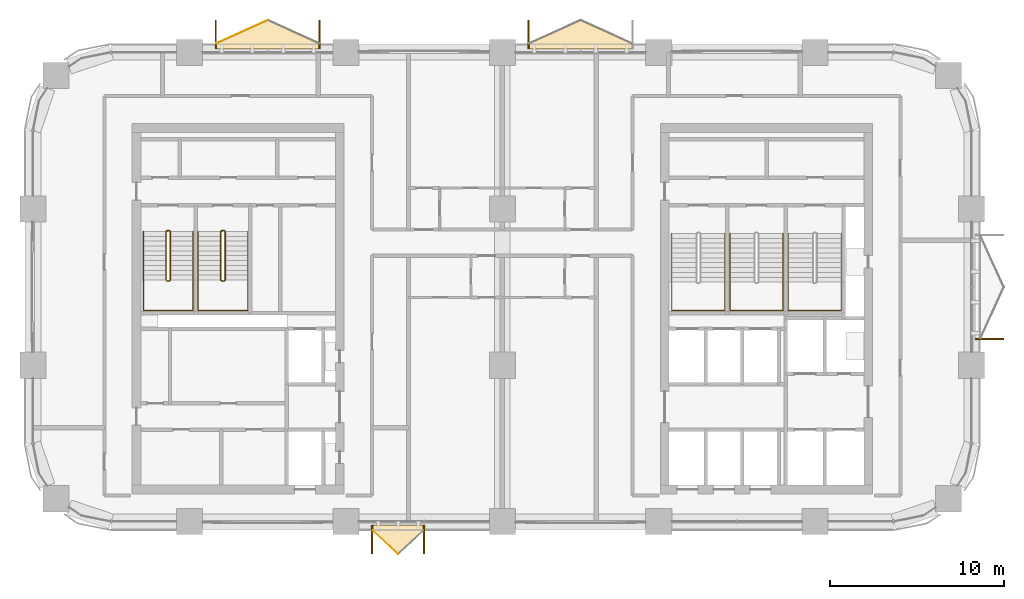
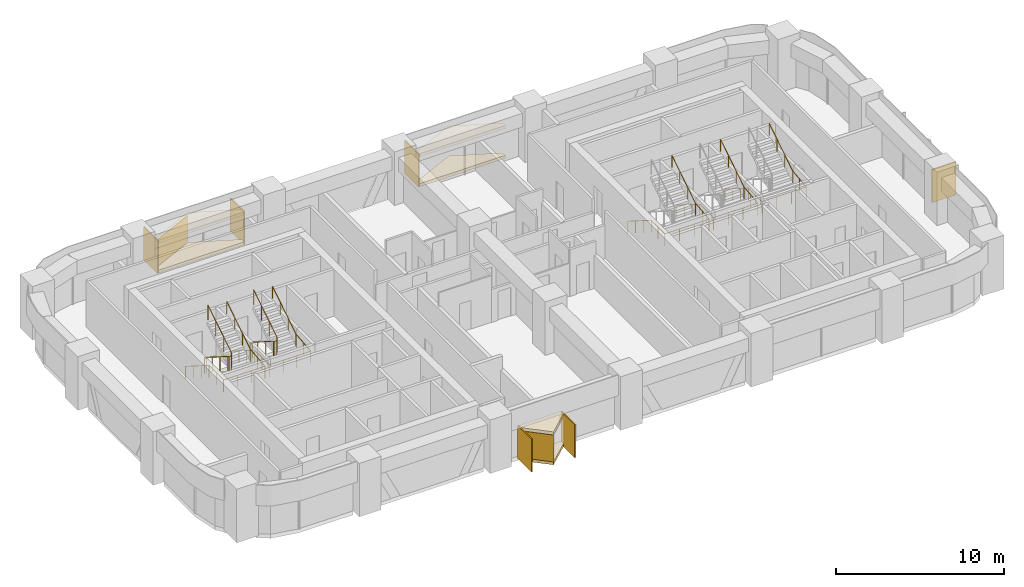
# One storey, part 13 of 14: 14 coverings, 7 railings.
"""IFC4 building model written with IfcOpenShell, lengths in metres."""

from ifc_helpers import new_model, si_unit, direction, frame, origin, origin_2d, place, context, subcontext, project, spatial, polyline, rectangle, circle, outline, extrude, material, layer, layer_set, type_object, element, save


model = new_model("IFC4")

# Units and contexts
model_context = context("Model", 3, precision=1e-05, world=origin(), true_north=direction((0.0, 1.0)))
body_context = subcontext(model_context, "Body", "Model", "MODEL_VIEW")
ifc_project = project(units=[si_unit("LENGTHUNIT", "METRE"), si_unit("AREAUNIT", "SQUARE_METRE"), si_unit("VOLUMEUNIT", "CUBIC_METRE"), si_unit("PLANEANGLEUNIT", "RADIAN"), si_unit("MASSUNIT", "GRAM", prefix="KILO")], contexts=[model_context])

# Site, building, storey
site_placement = place(None, origin())
site = spatial("IfcSite", under=ifc_project, at=site_placement, CompositionType="ELEMENT")
building_placement = place(site_placement, origin())
building = spatial("IfcBuilding", under=site, at=building_placement, Name="Tessera Arch", CompositionType="ELEMENT")
storey_placement = place(building_placement, frame((0.0, 0.0, 193.39990234375)))
storey = spatial("IfcBuildingStorey", under=building, at=storey_placement, Name="L46", CompositionType="ELEMENT", Elevation=193.39990234375)

# Railings
ifc_material_1 = material(Name="Painted steel balustrade", Category="steel")
railing_type_1 = type_object("IfcRailingType", Name="Stair guard 1100", PredefinedType="GUARDRAIL", material=ifc_material_1)
railing_1_placement = place(storey_placement, frame((7.699951171875, 43.75, 0.0)))
element("IfcRailing", 1, at=railing_1_placement, inside=storey, type_object=railing_type_1, Name="L46 S2a stair guard 1", PredefinedType="GUARDRAIL", context=body_context, shape_type="SweptSolid", body=[
    extrude(circle(Radius=0.02392578125, at=origin_2d()), frame((-0.00390625, 0.0, 1.076171875), z_axis=(1.0, 0.0, 0.0), x_axis=(0.0, 1.0, 0.0)), (0.0, 0.0, 1.0), 0.158203125),
    extrude(circle(Radius=0.02392578125, at=origin_2d()), frame((0.153076171875, 0.000732421875, 1.073486328125), z_axis=(-0.735506176693, -0.183876544173, 0.652089012751), x_axis=(0.242535625036, -0.970142500145, 0.0)), (0.0, 0.0, 1.0), 0.2802734375),
    extrude(circle(Radius=0.02392578125, at=origin_2d()), frame((-0.050048828125, -0.046630859375, 1.25146484375), z_axis=(0.0, -0.844908973607, 0.534910110503), x_axis=(1.0, 0.0, 0.0)), (0.0, 0.0, 1.0), 3.322021484375),
    extrude(circle(Radius=0.02392578125, at=origin_2d()), frame((-0.052978515625, -2.84716796875, 3.0263671875), z_axis=(0.708833529934, -0.705375805398, 0.0), x_axis=(0.705375805398, 0.708833529934, 0.0)), (0.0, 0.0, 1.0), 0.07861328125),
    extrude(circle(Radius=0.02392578125, at=origin_2d()), frame((-0.00390625, -2.89990234375, 3.0263671875), z_axis=(1.0, 0.0, 0.0), x_axis=(0.0, 1.0, 0.0)), (0.0, 0.0, 1.0), 0.158203125),
    extrude(circle(Radius=0.02392578125, at=origin_2d()), frame((0.149169921875, -2.90087890625, 3.0224609375), z_axis=(0.261129318932, 0.261129318932, 0.929313164433), x_axis=(-0.707106781187, 0.707106781187, 0.0)), (0.0, 0.0, 1.0), 0.19873046875),
    extrude(circle(Radius=0.02392578125, at=origin_2d()), frame((0.199951171875, -2.853515625, 3.201416015625), z_axis=(0.0, 0.844908973607, 0.534910110503), x_axis=(-1.0, 0.0, 0.0)), (0.0, 0.0, 1.0), 3.322021484375),
    extrude(circle(Radius=0.02099609375, at=origin_2d()), origin(), (0.0, 0.0, 1.0), 1.06396484375),
    extrude(circle(Radius=0.02099609375, at=origin_2d()), frame((0.150146484375, 0.0, 0.0)), (0.0, 0.0, 1.0), 1.06396484375),
    extrude(circle(Radius=0.02099609375, at=origin_2d()), frame((-0.050048828125, -0.050048828125, 0.177490234375)), (0.0, 0.0, 1.0), 1.06396484375),
    extrude(circle(Radius=0.02099609375, at=origin_2d()), frame((-0.050048828125, -0.9833984375, 0.768310546875)), (0.0, 0.0, 1.0), 1.06396484375),
    extrude(circle(Radius=0.02099609375, at=origin_2d()), frame((-0.050048828125, -1.916748046875, 1.359375)), (0.0, 0.0, 1.0), 1.06396484375),
    extrude(circle(Radius=0.02099609375, at=origin_2d()), frame((-0.050048828125, -2.85009765625, 1.9501953125)), (0.0, 0.0, 1.0), 1.06396484375),
    extrude(circle(Radius=0.02099609375, at=origin_2d()), frame((0.0, -2.89990234375, 1.9501953125)), (0.0, 0.0, 1.0), 1.06396484375),
    extrude(circle(Radius=0.02099609375, at=origin_2d()), frame((0.150146484375, -2.89990234375, 1.9501953125)), (0.0, 0.0, 1.0), 1.06396484375),
    extrude(circle(Radius=0.02099609375, at=origin_2d()), frame((0.199951171875, -2.85009765625, 2.12744140625)), (0.0, 0.0, 1.0), 1.06396484375),
    extrude(circle(Radius=0.02099609375, at=origin_2d()), frame((0.199951171875, -1.916748046875, 2.71826171875)), (0.0, 0.0, 1.0), 1.06396484375),
    extrude(circle(Radius=0.02099609375, at=origin_2d()), frame((0.199951171875, -0.9833984375, 3.309326171875)), (0.0, 0.0, 1.0), 1.06396484375),
    extrude(circle(Radius=0.02099609375, at=origin_2d()), frame((0.199951171875, -0.050048828125, 3.900146484375)), (0.0, 0.0, 1.0), 1.06396484375),
])
railing_2_placement = place(storey_placement, frame((10.85009765625, 43.75, 0.0)))
element("IfcRailing", 2, at=railing_2_placement, inside=storey, type_object=railing_type_1, Name="L46 S2b stair guard 1", PredefinedType="GUARDRAIL", context=body_context, shape_type="SweptSolid", body=[
    extrude(circle(Radius=0.02392578125, at=origin_2d()), frame((-0.00390625, 0.0, 1.076171875), z_axis=(1.0, 0.0, 0.0), x_axis=(0.0, 1.0, 0.0)), (0.0, 0.0, 1.0), 0.157958984375),
    extrude(circle(Radius=0.02392578125, at=origin_2d()), frame((0.15283203125, 0.000732421875, 1.073486328125), z_axis=(-0.735094037398, -0.183997897029, 0.652519371414), x_axis=(0.242814311512, -0.970072785993, 0.0)), (0.0, 0.0, 1.0), 0.280029296875),
    extrude(circle(Radius=0.02392578125, at=origin_2d()), frame((-0.050048828125, -0.046630859375, 1.25146484375), z_axis=(0.0, -0.844908973607, 0.534910110503), x_axis=(1.0, 0.0, 0.0)), (0.0, 0.0, 1.0), 3.322021484375),
    extrude(circle(Radius=0.02392578125, at=origin_2d()), frame((-0.052978515625, -2.84716796875, 3.0263671875), z_axis=(0.708833529934, -0.705375805398, 0.0), x_axis=(0.705375805398, 0.708833529934, 0.0)), (0.0, 0.0, 1.0), 0.07861328125),
    extrude(circle(Radius=0.02392578125, at=origin_2d()), frame((-0.00390625, -2.89990234375, 3.0263671875), z_axis=(1.0, 0.0, 0.0), x_axis=(0.0, 1.0, 0.0)), (0.0, 0.0, 1.0), 0.157958984375),
    extrude(circle(Radius=0.02392578125, at=origin_2d()), frame((0.14892578125, -2.90087890625, 3.0224609375), z_axis=(0.262321481514, 0.261041864531, 0.929001929653), x_axis=(-0.705375805398, 0.708833529934, 0.0)), (0.0, 0.0, 1.0), 0.19873046875),
    extrude(circle(Radius=0.02392578125, at=origin_2d()), frame((0.199951171875, -2.853515625, 3.201416015625), z_axis=(0.0, 0.844908973607, 0.534910110503), x_axis=(-1.0, 0.0, 0.0)), (0.0, 0.0, 1.0), 3.322021484375),
    extrude(circle(Radius=0.02099609375, at=origin_2d()), origin(), (0.0, 0.0, 1.0), 1.06396484375),
    extrude(circle(Radius=0.02099609375, at=origin_2d()), frame((0.14990234375, 0.0, 0.0)), (0.0, 0.0, 1.0), 1.06396484375),
    extrude(circle(Radius=0.02099609375, at=origin_2d()), frame((-0.050048828125, -0.050048828125, 0.177490234375)), (0.0, 0.0, 1.0), 1.06396484375),
    extrude(circle(Radius=0.02099609375, at=origin_2d()), frame((-0.050048828125, -0.9833984375, 0.768310546875)), (0.0, 0.0, 1.0), 1.06396484375),
    extrude(circle(Radius=0.02099609375, at=origin_2d()), frame((-0.050048828125, -1.916748046875, 1.359375)), (0.0, 0.0, 1.0), 1.06396484375),
    extrude(circle(Radius=0.02099609375, at=origin_2d()), frame((-0.050048828125, -2.85009765625, 1.9501953125)), (0.0, 0.0, 1.0), 1.06396484375),
    extrude(circle(Radius=0.02099609375, at=origin_2d()), frame((0.0, -2.89990234375, 1.9501953125)), (0.0, 0.0, 1.0), 1.06396484375),
    extrude(circle(Radius=0.02099609375, at=origin_2d()), frame((0.14990234375, -2.89990234375, 1.9501953125)), (0.0, 0.0, 1.0), 1.06396484375),
    extrude(circle(Radius=0.02099609375, at=origin_2d()), frame((0.199951171875, -2.85009765625, 2.12744140625)), (0.0, 0.0, 1.0), 1.06396484375),
    extrude(circle(Radius=0.02099609375, at=origin_2d()), frame((0.199951171875, -1.916748046875, 2.71826171875)), (0.0, 0.0, 1.0), 1.06396484375),
    extrude(circle(Radius=0.02099609375, at=origin_2d()), frame((0.199951171875, -0.9833984375, 3.309326171875)), (0.0, 0.0, 1.0), 1.06396484375),
    extrude(circle(Radius=0.02099609375, at=origin_2d()), frame((0.199951171875, -0.050048828125, 3.900146484375)), (0.0, 0.0, 1.0), 1.06396484375),
])
ifc_material_2 = material(Name="Painted steel handrail", Category="steel")
railing_type_2 = type_object("IfcRailingType", Name="Stair handrail 900", PredefinedType="HANDRAIL", material=ifc_material_2)
railing_3_placement = place(storey_placement, frame((36.75, 43.580078125, 0.177490234375)))
element("IfcRailing", 3, at=railing_3_placement, inside=storey, type_object=railing_type_2, Name="L46 S1a stair handrail", PredefinedType="HANDRAIL", context=body_context, shape_type="SweptSolid", body=[
    extrude(circle(Radius=0.02392578125, at=origin_2d()), frame((0.0, 0.00341796875, 0.873779296875), z_axis=(0.0, -0.844908973607, 0.534910110503), x_axis=(1.0, 0.0, 0.0)), (0.0, 0.0, 1.0), 3.322021484375),
    extrude(circle(Radius=0.02392578125, at=origin_2d()), frame((0.0, -2.796142578125, 2.6484375), z_axis=(0.0, -1.0, 0.0), x_axis=(1.0, 0.0, 0.0)), (0.0, 0.0, 1.0), 1.63818359375),
    extrude(circle(Radius=0.02392578125, at=origin_2d()), frame((-0.00390625, -4.43017578125, 2.6484375), z_axis=(1.0, 0.0, 0.0), x_axis=(0.0, 1.0, 0.0)), (0.0, 0.0, 1.0), 3.05810546875),
    extrude(circle(Radius=0.02392578125, at=origin_2d()), frame((3.050048828125, -4.43408203125, 2.648193359375), z_axis=(0.0, 0.994140637614, 0.108094369164), x_axis=(-1.0, 0.0, 0.0)), (0.0, 0.0, 1.0), 1.647705078125),
    extrude(circle(Radius=0.02392578125, at=origin_2d()), frame((3.050048828125, -2.803466796875, 2.82373046875), z_axis=(0.0, 0.844908973607, 0.534910110503), x_axis=(-1.0, 0.0, 0.0)), (0.0, 0.0, 1.0), 3.322021484375),
    extrude(circle(Radius=0.02099609375, at=origin_2d()), origin(), (0.0, 0.0, 1.0), 0.86376953125),
    extrude(circle(Radius=0.02099609375, at=origin_2d()), frame((0.0, -0.933349609375, 0.5908203125)), (0.0, 0.0, 1.0), 0.86376953125),
    extrude(circle(Radius=0.02099609375, at=origin_2d()), frame((0.0, -1.86669921875, 1.181884765625)), (0.0, 0.0, 1.0), 0.86376953125),
    extrude(circle(Radius=0.02099609375, at=origin_2d()), frame((0.0, -2.800048828125, 1.772705078125)), (0.0, 0.0, 1.0), 0.86376953125),
    extrude(circle(Radius=0.02099609375, at=origin_2d()), frame((0.0, -3.615234375, 1.772705078125)), (0.0, 0.0, 1.0), 0.86376953125),
    extrude(circle(Radius=0.02099609375, at=origin_2d()), frame((0.0, -4.43017578125, 1.772705078125)), (0.0, 0.0, 1.0), 0.86376953125),
    extrude(circle(Radius=0.02099609375, at=origin_2d()), frame((1.0166015625, -4.43017578125, 1.772705078125)), (0.0, 0.0, 1.0), 0.86376953125),
    extrude(circle(Radius=0.02099609375, at=origin_2d()), frame((2.033447265625, -4.43017578125, 1.772705078125)), (0.0, 0.0, 1.0), 0.86376953125),
    extrude(circle(Radius=0.02099609375, at=origin_2d()), frame((3.050048828125, -4.43017578125, 1.772705078125)), (0.0, 0.0, 1.0), 0.86376953125),
    extrude(circle(Radius=0.02099609375, at=origin_2d()), frame((3.050048828125, -3.615234375, 1.861328125)), (0.0, 0.0, 1.0), 0.86376953125),
    extrude(circle(Radius=0.02099609375, at=origin_2d()), frame((3.050048828125, -2.800048828125, 1.949951171875)), (0.0, 0.0, 1.0), 0.86376953125),
    extrude(circle(Radius=0.02099609375, at=origin_2d()), frame((3.050048828125, -1.86669921875, 2.540771484375)), (0.0, 0.0, 1.0), 0.86376953125),
    extrude(circle(Radius=0.02099609375, at=origin_2d()), frame((3.050048828125, -0.933349609375, 3.1318359375)), (0.0, 0.0, 1.0), 0.86376953125),
    extrude(circle(Radius=0.02099609375, at=origin_2d()), frame((3.050048828125, 0.0, 3.72265625)), (0.0, 0.0, 1.0), 0.86376953125),
])
railing_4_placement = place(storey_placement, frame((40.10009765625, 43.580078125, 0.177490234375)))
element("IfcRailing", 4, at=railing_4_placement, inside=storey, type_object=railing_type_2, Name="L46 S1b stair handrail", PredefinedType="HANDRAIL", context=body_context, shape_type="SweptSolid", body=[
    extrude(circle(Radius=0.02392578125, at=origin_2d()), frame((0.0, 0.00341796875, 0.873779296875), z_axis=(0.0, -0.844908973607, 0.534910110503), x_axis=(1.0, 0.0, 0.0)), (0.0, 0.0, 1.0), 3.322021484375),
    extrude(circle(Radius=0.02392578125, at=origin_2d()), frame((0.0, -2.796142578125, 2.6484375), z_axis=(0.0, -1.0, 0.0), x_axis=(1.0, 0.0, 0.0)), (0.0, 0.0, 1.0), 1.63818359375),
    extrude(circle(Radius=0.02392578125, at=origin_2d()), frame((-0.00390625, -4.43017578125, 2.6484375), z_axis=(1.0, 0.0, 0.0), x_axis=(0.0, 1.0, 0.0)), (0.0, 0.0, 1.0), 3.057861328125),
    extrude(circle(Radius=0.02392578125, at=origin_2d()), frame((3.0498046875, -4.43408203125, 2.648193359375), z_axis=(0.0, 0.994140637614, 0.108094369164), x_axis=(-1.0, 0.0, 0.0)), (0.0, 0.0, 1.0), 1.647705078125),
    extrude(circle(Radius=0.02392578125, at=origin_2d()), frame((3.0498046875, -2.803466796875, 2.82373046875), z_axis=(0.0, 0.844908973607, 0.534910110503), x_axis=(-1.0, 0.0, 0.0)), (0.0, 0.0, 1.0), 3.322021484375),
    extrude(circle(Radius=0.02099609375, at=origin_2d()), origin(), (0.0, 0.0, 1.0), 0.86376953125),
    extrude(circle(Radius=0.02099609375, at=origin_2d()), frame((0.0, -0.933349609375, 0.5908203125)), (0.0, 0.0, 1.0), 0.86376953125),
    extrude(circle(Radius=0.02099609375, at=origin_2d()), frame((0.0, -1.86669921875, 1.181884765625)), (0.0, 0.0, 1.0), 0.86376953125),
    extrude(circle(Radius=0.02099609375, at=origin_2d()), frame((0.0, -2.800048828125, 1.772705078125)), (0.0, 0.0, 1.0), 0.86376953125),
    extrude(circle(Radius=0.02099609375, at=origin_2d()), frame((0.0, -3.615234375, 1.772705078125)), (0.0, 0.0, 1.0), 0.86376953125),
    extrude(circle(Radius=0.02099609375, at=origin_2d()), frame((0.0, -4.43017578125, 1.772705078125)), (0.0, 0.0, 1.0), 0.86376953125),
    extrude(circle(Radius=0.02099609375, at=origin_2d()), frame((1.0166015625, -4.43017578125, 1.772705078125)), (0.0, 0.0, 1.0), 0.86376953125),
    extrude(circle(Radius=0.02099609375, at=origin_2d()), frame((2.033203125, -4.43017578125, 1.772705078125)), (0.0, 0.0, 1.0), 0.86376953125),
    extrude(circle(Radius=0.02099609375, at=origin_2d()), frame((3.0498046875, -4.43017578125, 1.772705078125)), (0.0, 0.0, 1.0), 0.86376953125),
    extrude(circle(Radius=0.02099609375, at=origin_2d()), frame((3.0498046875, -3.615234375, 1.861328125)), (0.0, 0.0, 1.0), 0.86376953125),
    extrude(circle(Radius=0.02099609375, at=origin_2d()), frame((3.0498046875, -2.800048828125, 1.949951171875)), (0.0, 0.0, 1.0), 0.86376953125),
    extrude(circle(Radius=0.02099609375, at=origin_2d()), frame((3.0498046875, -1.86669921875, 2.540771484375)), (0.0, 0.0, 1.0), 0.86376953125),
    extrude(circle(Radius=0.02099609375, at=origin_2d()), frame((3.0498046875, -0.933349609375, 3.1318359375)), (0.0, 0.0, 1.0), 0.86376953125),
    extrude(circle(Radius=0.02099609375, at=origin_2d()), frame((3.0498046875, 0.0, 3.72265625)), (0.0, 0.0, 1.0), 0.86376953125),
])
railing_5_placement = place(storey_placement, frame((43.449951171875, 43.580078125, 0.177490234375)))
element("IfcRailing", 5, at=railing_5_placement, inside=storey, type_object=railing_type_2, Name="L46 S1c stair handrail", PredefinedType="HANDRAIL", context=body_context, shape_type="SweptSolid", body=[
    extrude(circle(Radius=0.02392578125, at=origin_2d()), frame((0.0, 0.00341796875, 0.873779296875), z_axis=(0.0, -0.844908973607, 0.534910110503), x_axis=(1.0, 0.0, 0.0)), (0.0, 0.0, 1.0), 3.322021484375),
    extrude(circle(Radius=0.02392578125, at=origin_2d()), frame((0.0, -2.796142578125, 2.6484375), z_axis=(0.0, -1.0, 0.0), x_axis=(1.0, 0.0, 0.0)), (0.0, 0.0, 1.0), 1.63818359375),
    extrude(circle(Radius=0.02392578125, at=origin_2d()), frame((-0.00390625, -4.43017578125, 2.6484375), z_axis=(1.0, 0.0, 0.0), x_axis=(0.0, 1.0, 0.0)), (0.0, 0.0, 1.0), 3.05810546875),
    extrude(circle(Radius=0.02392578125, at=origin_2d()), frame((3.050048828125, -4.43408203125, 2.648193359375), z_axis=(0.0, 0.994140637614, 0.108094369164), x_axis=(-1.0, 0.0, 0.0)), (0.0, 0.0, 1.0), 1.647705078125),
    extrude(circle(Radius=0.02392578125, at=origin_2d()), frame((3.050048828125, -2.803466796875, 2.82373046875), z_axis=(0.0, 0.844908973607, 0.534910110503), x_axis=(-1.0, 0.0, 0.0)), (0.0, 0.0, 1.0), 3.322021484375),
    extrude(circle(Radius=0.02099609375, at=origin_2d()), origin(), (0.0, 0.0, 1.0), 0.86376953125),
    extrude(circle(Radius=0.02099609375, at=origin_2d()), frame((0.0, -0.933349609375, 0.5908203125)), (0.0, 0.0, 1.0), 0.86376953125),
    extrude(circle(Radius=0.02099609375, at=origin_2d()), frame((0.0, -1.86669921875, 1.181884765625)), (0.0, 0.0, 1.0), 0.86376953125),
    extrude(circle(Radius=0.02099609375, at=origin_2d()), frame((0.0, -2.800048828125, 1.772705078125)), (0.0, 0.0, 1.0), 0.86376953125),
    extrude(circle(Radius=0.02099609375, at=origin_2d()), frame((0.0, -3.615234375, 1.772705078125)), (0.0, 0.0, 1.0), 0.86376953125),
    extrude(circle(Radius=0.02099609375, at=origin_2d()), frame((0.0, -4.43017578125, 1.772705078125)), (0.0, 0.0, 1.0), 0.86376953125),
    extrude(circle(Radius=0.02099609375, at=origin_2d()), frame((1.0166015625, -4.43017578125, 1.772705078125)), (0.0, 0.0, 1.0), 0.86376953125),
    extrude(circle(Radius=0.02099609375, at=origin_2d()), frame((2.033447265625, -4.43017578125, 1.772705078125)), (0.0, 0.0, 1.0), 0.86376953125),
    extrude(circle(Radius=0.02099609375, at=origin_2d()), frame((3.050048828125, -4.43017578125, 1.772705078125)), (0.0, 0.0, 1.0), 0.86376953125),
    extrude(circle(Radius=0.02099609375, at=origin_2d()), frame((3.050048828125, -3.615234375, 1.861328125)), (0.0, 0.0, 1.0), 0.86376953125),
    extrude(circle(Radius=0.02099609375, at=origin_2d()), frame((3.050048828125, -2.800048828125, 1.949951171875)), (0.0, 0.0, 1.0), 0.86376953125),
    extrude(circle(Radius=0.02099609375, at=origin_2d()), frame((3.050048828125, -1.86669921875, 2.540771484375)), (0.0, 0.0, 1.0), 0.86376953125),
    extrude(circle(Radius=0.02099609375, at=origin_2d()), frame((3.050048828125, -0.933349609375, 3.1318359375)), (0.0, 0.0, 1.0), 0.86376953125),
    extrude(circle(Radius=0.02099609375, at=origin_2d()), frame((3.050048828125, 0.0, 3.72265625)), (0.0, 0.0, 1.0), 0.86376953125),
])
railing_6_placement = place(storey_placement, frame((6.35009765625, 43.699951171875, 0.177490234375)))
element("IfcRailing", 6, at=railing_6_placement, inside=storey, type_object=railing_type_2, Name="L46 S2a stair handrail", PredefinedType="HANDRAIL", context=body_context, shape_type="SweptSolid", body=[
    extrude(circle(Radius=0.02392578125, at=origin_2d()), frame((0.0, 0.00341796875, 0.873779296875), z_axis=(0.0, -0.844908973607, 0.534910110503), x_axis=(1.0, 0.0, 0.0)), (0.0, 0.0, 1.0), 3.322021484375),
    extrude(circle(Radius=0.02392578125, at=origin_2d()), frame((0.0, -2.796142578125, 2.6484375), z_axis=(0.0, -1.0, 0.0), x_axis=(1.0, 0.0, 0.0)), (0.0, 0.0, 1.0), 1.758056640625),
    extrude(circle(Radius=0.02392578125, at=origin_2d()), frame((-0.00390625, -4.550048828125, 2.6484375), z_axis=(1.0, 0.0, 0.0), x_axis=(0.0, 1.0, 0.0)), (0.0, 0.0, 1.0), 2.85791015625),
    extrude(circle(Radius=0.02392578125, at=origin_2d()), frame((2.849853515625, -4.553955078125, 2.648193359375), z_axis=(0.0, 0.994909956378, 0.100767944801), x_axis=(-1.0, 0.0, 0.0)), (0.0, 0.0, 1.0), 1.766845703125),
    extrude(circle(Radius=0.02392578125, at=origin_2d()), frame((2.849853515625, -2.803466796875, 2.82373046875), z_axis=(0.0, 0.844908973607, 0.534910110503), x_axis=(-1.0, 0.0, 0.0)), (0.0, 0.0, 1.0), 3.322021484375),
    extrude(circle(Radius=0.02099609375, at=origin_2d()), origin(), (0.0, 0.0, 1.0), 0.86376953125),
    extrude(circle(Radius=0.02099609375, at=origin_2d()), frame((0.0, -0.933349609375, 0.5908203125)), (0.0, 0.0, 1.0), 0.86376953125),
    extrude(circle(Radius=0.02099609375, at=origin_2d()), frame((0.0, -1.86669921875, 1.181884765625)), (0.0, 0.0, 1.0), 0.86376953125),
    extrude(circle(Radius=0.02099609375, at=origin_2d()), frame((0.0, -2.800048828125, 1.772705078125)), (0.0, 0.0, 1.0), 0.86376953125),
    extrude(circle(Radius=0.02099609375, at=origin_2d()), frame((0.0, -3.675048828125, 1.772705078125)), (0.0, 0.0, 1.0), 0.86376953125),
    extrude(circle(Radius=0.02099609375, at=origin_2d()), frame((0.0, -4.550048828125, 1.772705078125)), (0.0, 0.0, 1.0), 0.86376953125),
    extrude(circle(Radius=0.02099609375, at=origin_2d()), frame((0.949951171875, -4.550048828125, 1.772705078125)), (0.0, 0.0, 1.0), 0.86376953125),
    extrude(circle(Radius=0.02099609375, at=origin_2d()), frame((1.89990234375, -4.550048828125, 1.772705078125)), (0.0, 0.0, 1.0), 0.86376953125),
    extrude(circle(Radius=0.02099609375, at=origin_2d()), frame((2.849853515625, -4.550048828125, 1.772705078125)), (0.0, 0.0, 1.0), 0.86376953125),
    extrude(circle(Radius=0.02099609375, at=origin_2d()), frame((2.849853515625, -3.675048828125, 1.861328125)), (0.0, 0.0, 1.0), 0.86376953125),
    extrude(circle(Radius=0.02099609375, at=origin_2d()), frame((2.849853515625, -2.800048828125, 1.949951171875)), (0.0, 0.0, 1.0), 0.86376953125),
    extrude(circle(Radius=0.02099609375, at=origin_2d()), frame((2.849853515625, -1.86669921875, 2.540771484375)), (0.0, 0.0, 1.0), 0.86376953125),
    extrude(circle(Radius=0.02099609375, at=origin_2d()), frame((2.849853515625, -0.933349609375, 3.1318359375)), (0.0, 0.0, 1.0), 0.86376953125),
    extrude(circle(Radius=0.02099609375, at=origin_2d()), frame((2.849853515625, 0.0, 3.72265625)), (0.0, 0.0, 1.0), 0.86376953125),
])
railing_7_placement = place(storey_placement, frame((9.5, 43.699951171875, 0.177490234375)))
element("IfcRailing", 7, at=railing_7_placement, inside=storey, type_object=railing_type_2, Name="L46 S2b stair handrail", PredefinedType="HANDRAIL", context=body_context, shape_type="SweptSolid", body=[
    extrude(circle(Radius=0.02392578125, at=origin_2d()), frame((0.0, 0.00341796875, 0.873779296875), z_axis=(0.0, -0.844908973607, 0.534910110503), x_axis=(1.0, 0.0, 0.0)), (0.0, 0.0, 1.0), 3.322021484375),
    extrude(circle(Radius=0.02392578125, at=origin_2d()), frame((0.0, -2.796142578125, 2.6484375), z_axis=(0.0, -1.0, 0.0), x_axis=(1.0, 0.0, 0.0)), (0.0, 0.0, 1.0), 1.758056640625),
    extrude(circle(Radius=0.02392578125, at=origin_2d()), frame((-0.00390625, -4.550048828125, 2.6484375), z_axis=(1.0, 0.0, 0.0), x_axis=(0.0, 1.0, 0.0)), (0.0, 0.0, 1.0), 2.858154296875),
    extrude(circle(Radius=0.02392578125, at=origin_2d()), frame((2.85009765625, -4.553955078125, 2.648193359375), z_axis=(0.0, 0.994909956378, 0.100767944801), x_axis=(-1.0, 0.0, 0.0)), (0.0, 0.0, 1.0), 1.766845703125),
    extrude(circle(Radius=0.02392578125, at=origin_2d()), frame((2.85009765625, -2.803466796875, 2.82373046875), z_axis=(0.0, 0.844908973607, 0.534910110503), x_axis=(-1.0, 0.0, 0.0)), (0.0, 0.0, 1.0), 3.322021484375),
    extrude(circle(Radius=0.02099609375, at=origin_2d()), origin(), (0.0, 0.0, 1.0), 0.86376953125),
    extrude(circle(Radius=0.02099609375, at=origin_2d()), frame((0.0, -0.933349609375, 0.5908203125)), (0.0, 0.0, 1.0), 0.86376953125),
    extrude(circle(Radius=0.02099609375, at=origin_2d()), frame((0.0, -1.86669921875, 1.181884765625)), (0.0, 0.0, 1.0), 0.86376953125),
    extrude(circle(Radius=0.02099609375, at=origin_2d()), frame((0.0, -2.800048828125, 1.772705078125)), (0.0, 0.0, 1.0), 0.86376953125),
    extrude(circle(Radius=0.02099609375, at=origin_2d()), frame((0.0, -3.675048828125, 1.772705078125)), (0.0, 0.0, 1.0), 0.86376953125),
    extrude(circle(Radius=0.02099609375, at=origin_2d()), frame((0.0, -4.550048828125, 1.772705078125)), (0.0, 0.0, 1.0), 0.86376953125),
    extrude(circle(Radius=0.02099609375, at=origin_2d()), frame((0.949951171875, -4.550048828125, 1.772705078125)), (0.0, 0.0, 1.0), 0.86376953125),
    extrude(circle(Radius=0.02099609375, at=origin_2d()), frame((1.900146484375, -4.550048828125, 1.772705078125)), (0.0, 0.0, 1.0), 0.86376953125),
    extrude(circle(Radius=0.02099609375, at=origin_2d()), frame((2.85009765625, -4.550048828125, 1.772705078125)), (0.0, 0.0, 1.0), 0.86376953125),
    extrude(circle(Radius=0.02099609375, at=origin_2d()), frame((2.85009765625, -3.675048828125, 1.861328125)), (0.0, 0.0, 1.0), 0.86376953125),
    extrude(circle(Radius=0.02099609375, at=origin_2d()), frame((2.85009765625, -2.800048828125, 1.949951171875)), (0.0, 0.0, 1.0), 0.86376953125),
    extrude(circle(Radius=0.02099609375, at=origin_2d()), frame((2.85009765625, -1.86669921875, 2.540771484375)), (0.0, 0.0, 1.0), 0.86376953125),
    extrude(circle(Radius=0.02099609375, at=origin_2d()), frame((2.85009765625, -0.933349609375, 3.1318359375)), (0.0, 0.0, 1.0), 0.86376953125),
    extrude(circle(Radius=0.02099609375, at=origin_2d()), frame((2.85009765625, 0.0, 3.72265625)), (0.0, 0.0, 1.0), 0.86376953125),
])

# Coverings
ifc_material_3 = material(Name="Anodised aluminium pale metal", Category="aluminium")
ifc_layer_1 = layer(ifc_material_3, 0.080078125)
ifc_layer_set_1 = layer_set([ifc_layer_1], Name="Window box cheek")
covering_type_1 = type_object("IfcCoveringType", Name="Window box cheek", PredefinedType="CLADDING", material=ifc_layer_set_1)
covering_1_placement = place(storey_placement, origin())
element("IfcCovering", 8, at=covering_1_placement, inside=storey, type_object=covering_type_1, Name="Window box N54.0/2.0 2x1 cheek", PredefinedType="CLADDING", context=body_context, shape_type="SweptSolid", body=[
    extrude(outline(polyline([(28.550048828125, 55.85009765625), (28.469970703125, 55.85009765625), (28.469970703125, 54.199951171875), (28.550048828125, 54.199951171875), (28.550048828125, 55.85009765625)])), origin(), (0.0, 0.0, 1.0), 2.400146484375),
])
covering_2_placement = place(storey_placement, origin())
element("IfcCovering", 9, at=covering_2_placement, inside=storey, type_object=covering_type_1, Name="Window box N54.0/4.0 2x1 cheek", PredefinedType="CLADDING", context=body_context, shape_type="SweptSolid", body=[
    extrude(outline(polyline([(16.530029296875, 55.85009765625), (16.449951171875, 55.85009765625), (16.449951171875, 54.199951171875), (16.530029296875, 54.199951171875), (16.530029296875, 55.85009765625)])), origin(), (0.0, 0.0, 1.0), 2.400146484375),
])
covering_3_placement = place(storey_placement, origin())
element("IfcCovering", 10, at=covering_3_placement, inside=storey, type_object=covering_type_1, Name="Window box N54.0/4.0 2x1 cheek", PredefinedType="CLADDING", context=body_context, shape_type="SweptSolid", body=[
    extrude(outline(polyline([(10.550048828125, 55.85009765625), (10.469970703125, 55.85009765625), (10.469970703125, 54.199951171875), (10.550048828125, 54.199951171875), (10.550048828125, 55.85009765625)])), origin(), (0.0, 0.0, 1.0), 2.400146484375),
])
covering_4_placement = place(storey_placement, origin())
element("IfcCovering", 11, at=covering_4_placement, inside=storey, type_object=covering_type_1, Name="Window box E54.27/0.0 2x1 cheek", PredefinedType="CLADDING", context=body_context, shape_type="SweptSolid", body=[
    extrude(outline(polyline([(55.85009765625, 37.469970703125), (55.85009765625, 37.550048828125), (54.199951171875, 37.550048828125), (54.199951171875, 37.469970703125), (55.85009765625, 37.469970703125)])), origin(), (0.0, 0.0, 1.0), 2.400146484375),
])
covering_5_placement = place(storey_placement, origin())
element("IfcCovering", 12, at=covering_5_placement, inside=storey, type_object=covering_type_1, Name="Window box S27.0/2.0 1x1 cheek", PredefinedType="CLADDING", context=body_context, shape_type="SweptSolid", body=[
    extrude(outline(polyline([(19.469970703125, 25.14990234375), (19.550048828125, 25.14990234375), (19.550048828125, 26.800048828125), (19.469970703125, 26.800048828125), (19.469970703125, 25.14990234375)])), origin(), (0.0, 0.0, 1.0), 2.400146484375),
])
covering_6_placement = place(storey_placement, origin())
element("IfcCovering", 13, at=covering_6_placement, inside=storey, type_object=covering_type_1, Name="Window box S27.0/2.0 1x1 cheek", PredefinedType="CLADDING", context=body_context, shape_type="SweptSolid", body=[
    extrude(outline(polyline([(22.449951171875, 25.14990234375), (22.530029296875, 25.14990234375), (22.530029296875, 26.800048828125), (22.449951171875, 26.800048828125), (22.449951171875, 25.14990234375)])), origin(), (0.0, 0.0, 1.0), 2.400146484375),
])
ifc_material_4 = material(Name="Anodised aluminium pale metal", Category="aluminium")
ifc_layer_2 = layer(ifc_material_4, 0.219970703125)
ifc_layer_set_2 = layer_set([ifc_layer_2], Name="Window box frame plate pale metal")
covering_type_2 = type_object("IfcCoveringType", Name="Window box frame plate pale metal", PredefinedType="CLADDING", material=ifc_layer_set_2)
covering_7_placement = place(storey_placement, origin())
element("IfcCovering", 14, at=covering_7_placement, inside=storey, type_object=covering_type_2, Name="Window box N54.0/2.0 2x1 floor", PredefinedType="CLADDING", context=body_context, shape_type="SweptSolid", body=[
    extrude(outline(polyline([(34.449951171875, 54.510009765625), (31.5, 55.85009765625), (28.550048828125, 54.510009765625), (28.550048828125, 54.199951171875), (34.449951171875, 54.199951171875), (34.449951171875, 54.510009765625)])), origin(), (0.0, 0.0, 1.0), 0.22021484375),
])
covering_8_placement = place(storey_placement, frame((0.0, 0.0, 2.18017578125)))
element("IfcCovering", 15, at=covering_8_placement, inside=storey, type_object=covering_type_2, Name="Window box N54.0/2.0 2x1 roof", PredefinedType="CLADDING", context=body_context, shape_type="SweptSolid", body=[
    extrude(outline(polyline([(34.449951171875, 54.510009765625), (31.5, 55.85009765625), (28.550048828125, 54.510009765625), (28.550048828125, 54.199951171875), (34.449951171875, 54.199951171875), (34.449951171875, 54.510009765625)])), origin(), (0.0, 0.0, 1.0), 0.219970703125),
])
covering_9_placement = place(storey_placement, origin())
element("IfcCovering", 16, at=covering_9_placement, inside=storey, type_object=covering_type_2, Name="Window box N54.0/4.0 2x1 floor", PredefinedType="CLADDING", context=body_context, shape_type="SweptSolid", body=[
    extrude(outline(polyline([(16.449951171875, 54.510009765625), (13.5, 55.85009765625), (10.550048828125, 54.510009765625), (10.550048828125, 54.199951171875), (16.449951171875, 54.199951171875), (16.449951171875, 54.510009765625)])), origin(), (0.0, 0.0, 1.0), 0.22021484375),
])
covering_10_placement = place(storey_placement, frame((0.0, 0.0, 2.18017578125)))
element("IfcCovering", 17, at=covering_10_placement, inside=storey, type_object=covering_type_2, Name="Window box N54.0/4.0 2x1 roof", PredefinedType="CLADDING", context=body_context, shape_type="SweptSolid", body=[
    extrude(outline(polyline([(16.449951171875, 54.510009765625), (13.5, 55.85009765625), (10.550048828125, 54.510009765625), (10.550048828125, 54.199951171875), (16.449951171875, 54.199951171875), (16.449951171875, 54.510009765625)])), origin(), (0.0, 0.0, 1.0), 0.219970703125),
])
ifc_material_5 = material(Name="Anodised aluminium turquoise", Category="aluminium")
ifc_layer_3 = layer(ifc_material_5, 0.219970703125)
ifc_layer_set_3 = layer_set([ifc_layer_3], Name="Window box frame plate turquoise")
covering_type_3 = type_object("IfcCoveringType", Name="Window box frame plate turquoise", PredefinedType="CLADDING", material=ifc_layer_set_3)
covering_11_placement = place(storey_placement, origin())
element("IfcCovering", 18, at=covering_11_placement, inside=storey, type_object=covering_type_3, Name="Window box S27.0/2.0 1x1 floor", PredefinedType="CLADDING", context=body_context, shape_type="SweptSolid", body=[
    extrude(outline(polyline([(19.550048828125, 26.489990234375), (21.0, 25.14990234375), (22.449951171875, 26.489990234375), (22.449951171875, 26.800048828125), (19.550048828125, 26.800048828125), (19.550048828125, 26.489990234375)])), origin(), (0.0, 0.0, 1.0), 0.22021484375),
])
covering_12_placement = place(storey_placement, frame((0.0, 0.0, 2.18017578125)))
element("IfcCovering", 19, at=covering_12_placement, inside=storey, type_object=covering_type_3, Name="Window box S27.0/2.0 1x1 roof", PredefinedType="CLADDING", context=body_context, shape_type="SweptSolid", body=[
    extrude(outline(polyline([(19.550048828125, 26.489990234375), (21.0, 25.14990234375), (22.449951171875, 26.489990234375), (22.449951171875, 26.800048828125), (19.550048828125, 26.800048828125), (19.550048828125, 26.489990234375)])), origin(), (0.0, 0.0, 1.0), 0.219970703125),
])
ifc_material_6 = material(Name="Anodised aluminium pale metal", Category="aluminium")
ifc_layer_4 = layer(ifc_material_6, 0.028076171875)
ifc_layer_set_4 = layer_set([ifc_layer_4], Name="Window box side panel")
covering_type_4 = type_object("IfcCoveringType", Name="Window box side panel", PredefinedType="CLADDING", material=ifc_layer_set_4)
covering_13_placement = place(storey_placement, frame((12.02490234375, 55.179931640625, 0.22021484375), z_axis=(0.0, 0.0, 1.0), x_axis=(0.910472144558, 0.413570397858, 0.0)))
element("IfcCovering", 20, at=covering_13_placement, inside=storey, type_object=covering_type_4, Name="Window box N54.0/4.0 2x1 side panel", PredefinedType="CLADDING", context=body_context, shape_type="SweptSolid", body=[
    extrude(rectangle(XDim=3.239990234375, YDim=0.028076171875, at=origin_2d()), origin(), (0.0, 0.0, 1.0), 1.9599609375),
])
covering_14_placement = place(storey_placement, frame((20.27490234375, 25.820068359375, 0.22021484375), z_axis=(0.0, 0.0, 1.0), x_axis=(0.734414958885, -0.678700720617, 0.0)))
element("IfcCovering", 21, at=covering_14_placement, inside=storey, type_object=covering_type_4, Name="Window box S27.0/2.0 1x1 side panel", PredefinedType="CLADDING", context=body_context, shape_type="SweptSolid", body=[
    extrude(rectangle(XDim=1.974365234375, YDim=0.028076171875, at=origin_2d()), origin(), (0.0, 0.0, 1.0), 1.9599609375),
])

save(model, "model.ifc")
